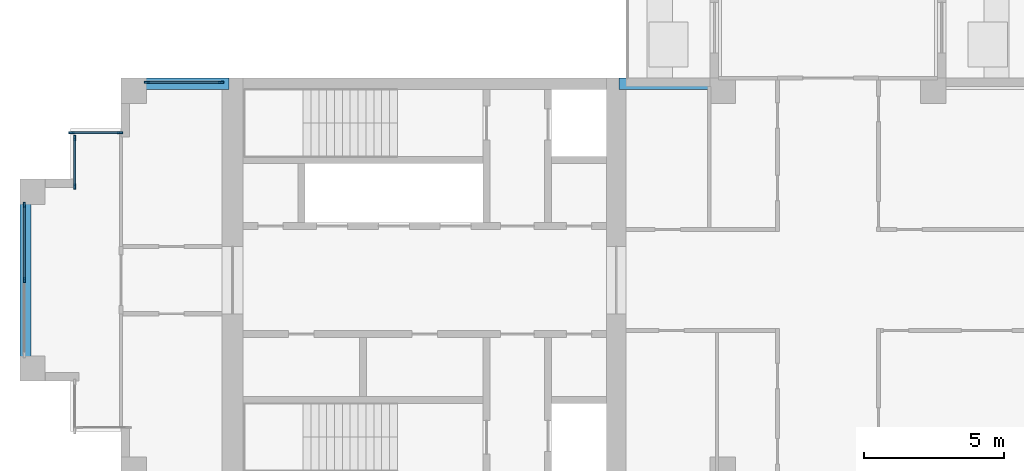
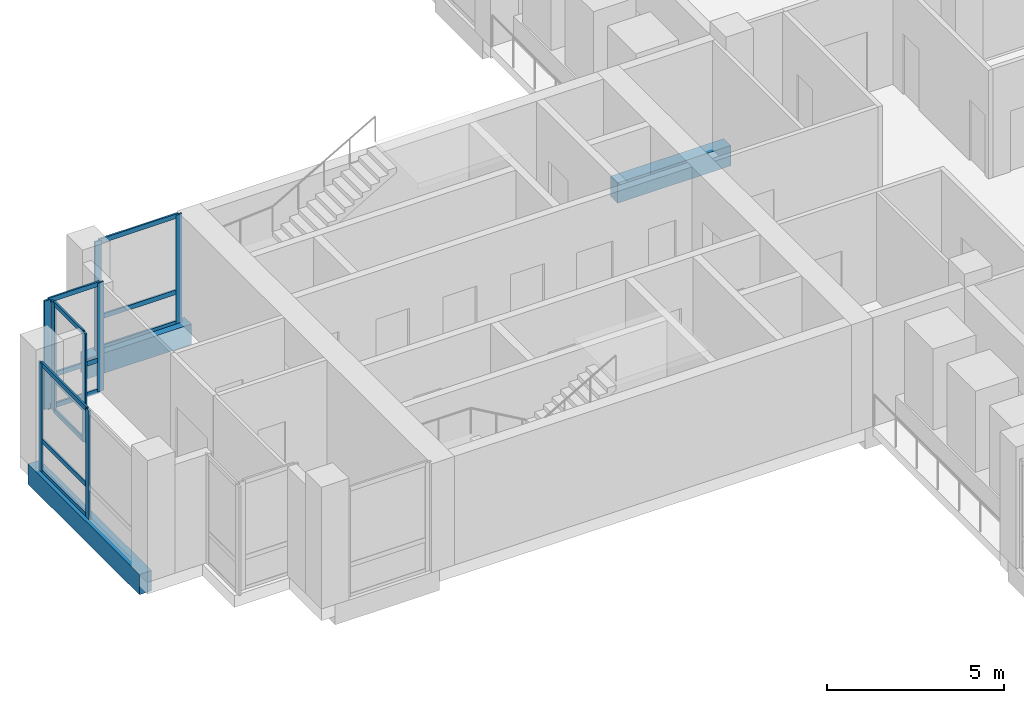
# One storey, part 3 of 13: 20 members, 3 beams, 4 elements without a shape of their own.
"""IFC4 building model written with IfcOpenShell, lengths in metres."""

from ifc_helpers import new_model, si_unit, direction, frame, origin, origin_2d, place, context, subcontext, project, spatial, rectangle, extrude, material, material_profile, profile_set, type_object, element, aggregate, save


model = new_model("IFC4")

# Units and contexts
model_context = context("Model", 3, precision=1e-05, world=origin(), true_north=direction((0.0, 1.0)))
body_context = subcontext(model_context, "Body", "Model", "MODEL_VIEW")
ifc_project = project(units=[si_unit("LENGTHUNIT", "METRE"), si_unit("AREAUNIT", "SQUARE_METRE"), si_unit("VOLUMEUNIT", "CUBIC_METRE"), si_unit("PLANEANGLEUNIT", "RADIAN"), si_unit("MASSUNIT", "GRAM", prefix="KILO")], contexts=[model_context])

# Site, building, storey
site_placement = place(None, origin())
site = spatial("IfcSite", under=ifc_project, at=site_placement, CompositionType="ELEMENT")
building_placement = place(site_placement, origin())
building = spatial("IfcBuilding", under=site, at=building_placement, Name="Fustian Cross Tower", CompositionType="ELEMENT")
storey_placement = place(building_placement, frame((0.0, 0.0, 237.89990234375)))
storey = spatial("IfcBuildingStorey", under=building, at=storey_placement, Name="L75", CompositionType="ELEMENT", Elevation=237.89990234375)

# Curtain wall, members
ifc_material_1 = material(Name="Dark anodised aluminium and double glazing", Category="aluminium")
curtain_wall_type = type_object("IfcCurtainWallType", Name="CW2 SUMMIT LOUNGE CURTAIN WALL", PredefinedType="NOTDEFINED", material=ifc_material_1)
curtain_wall_1_placement = place(storey_placement, origin())
curtain_wall_1 = element("IfcCurtainWall", 1, at=curtain_wall_1_placement, inside=storey, type_object=curtain_wall_type, Name="Curtain wall", PredefinedType="NOTDEFINED")
ifc_material_2 = material(Name="Aluminium alloy 6063", Category="aluminium")
ifc_material_profile_1 = material_profile(ifc_material_2, rectangle(XDim=0.06005859375, YDim=0.199951171875, at=origin_2d()), Name="CW2 MULLION 60X200")
ifc_profile_set_1 = profile_set([ifc_material_profile_1], Name="Aluminium alloy 6063")
member_type_1 = type_object("IfcMemberType", Name="CW2 MULLION 60X200", PredefinedType="MULLION", material=ifc_profile_set_1)
member_1_placement = place(storey_placement, frame((-21.6298828125, 7.050048828125, 0.0), z_axis=(0.0, 0.0, 1.0), x_axis=(0.0, -1.0, 0.0)))
member_1 = element("IfcMember", 2, at=member_1_placement, type_object=member_type_1, Name="CW2 mullion 1", PredefinedType="MULLION", context=body_context, shape_type="SweptSolid", body=[
    extrude(rectangle(XDim=0.06005859375, YDim=0.199951171875, at=origin_2d()), origin(), (0.0, 0.0, 1.0), 3.75),
])
member_2_placement = place(storey_placement, frame((-24.27001953125, 7.050048828125, 0.0), z_axis=(0.0, 0.0, 1.0), x_axis=(0.0, -1.0, 0.0)))
member_2 = element("IfcMember", 3, at=member_2_placement, type_object=member_type_1, Name="CW2 mullion 2", PredefinedType="MULLION", context=body_context, shape_type="SweptSolid", body=[
    extrude(rectangle(XDim=0.06005859375, YDim=0.199951171875, at=origin_2d()), origin(), (0.0, 0.0, 1.0), 3.75),
])

curtain_wall_2_placement = place(storey_placement, origin())
curtain_wall_2 = element("IfcCurtainWall", 4, at=curtain_wall_2_placement, inside=storey, type_object=curtain_wall_type, Name="Curtain wall", PredefinedType="NOTDEFINED")
member_3_placement = place(storey_placement, frame((-25.22998046875, 5.25, 0.0), z_axis=(0.0, 0.0, 1.0), x_axis=(0.0, -1.0, 0.0)))
member_3 = element("IfcMember", 5, at=member_3_placement, type_object=member_type_1, Name="CW2 mullion 1", PredefinedType="MULLION", context=body_context, shape_type="SweptSolid", body=[
    extrude(rectangle(XDim=0.06005859375, YDim=0.199951171875, at=origin_2d()), origin(), (0.0, 0.0, 1.0), 3.75),
])
member_4_placement = place(storey_placement, frame((-26.969970703125, 5.25, 0.0), z_axis=(0.0, 0.0, 1.0), x_axis=(0.0, -1.0, 0.0)))
member_4 = element("IfcMember", 6, at=member_4_placement, type_object=member_type_1, Name="CW2 mullion 2", PredefinedType="MULLION", context=body_context, shape_type="SweptSolid", body=[
    extrude(rectangle(XDim=0.06005859375, YDim=0.199951171875, at=origin_2d()), origin(), (0.0, 0.0, 1.0), 3.75),
])

curtain_wall_3_placement = place(storey_placement, origin())
curtain_wall_3 = element("IfcCurtainWall", 7, at=curtain_wall_3_placement, inside=storey, type_object=curtain_wall_type, Name="Curtain wall", PredefinedType="NOTDEFINED")
member_5_placement = place(storey_placement, frame((-26.85009765625, 5.070068359375, 0.0), z_axis=(0.0, 0.0, 1.0), x_axis=(1.0, 0.0, 0.0)))
member_5 = element("IfcMember", 8, at=member_5_placement, type_object=member_type_1, Name="CW2 mullion 1", PredefinedType="MULLION", context=body_context, shape_type="SweptSolid", body=[
    extrude(rectangle(XDim=0.06005859375, YDim=0.199951171875, at=origin_2d()), origin(), (0.0, 0.0, 1.0), 3.75),
])
member_6_placement = place(storey_placement, frame((-26.85009765625, 3.330078125, 0.0), z_axis=(0.0, 0.0, 1.0), x_axis=(1.0, 0.0, 0.0)))
member_6 = element("IfcMember", 9, at=member_6_placement, type_object=member_type_1, Name="CW2 mullion 2", PredefinedType="MULLION", context=body_context, shape_type="SweptSolid", body=[
    extrude(rectangle(XDim=0.06005859375, YDim=0.199951171875, at=origin_2d()), origin(), (0.0, 0.0, 1.0), 3.75),
])

curtain_wall_4_placement = place(storey_placement, origin())
curtain_wall_4 = element("IfcCurtainWall", 10, at=curtain_wall_4_placement, inside=storey, type_object=curtain_wall_type, Name="Curtain wall", PredefinedType="NOTDEFINED")
member_7_placement = place(storey_placement, frame((-28.64990234375, 2.669921875, 0.0), z_axis=(0.0, 0.0, 1.0), x_axis=(1.0, 0.0, 0.0)))
member_7 = element("IfcMember", 11, at=member_7_placement, type_object=member_type_1, Name="CW2 mullion 1", PredefinedType="MULLION", context=body_context, shape_type="SweptSolid", body=[
    extrude(rectangle(XDim=0.06005859375, YDim=0.199951171875, at=origin_2d()), origin(), (0.0, 0.0, 1.0), 3.75),
])
member_8_placement = place(storey_placement, frame((-28.64990234375, 0.0, 0.0), z_axis=(0.0, 0.0, 1.0), x_axis=(1.0, 0.0, 0.0)))
member_8 = element("IfcMember", 12, at=member_8_placement, type_object=member_type_1, Name="CW2 mullion 2", PredefinedType="MULLION", context=body_context, shape_type="SweptSolid", body=[
    extrude(rectangle(XDim=0.06005859375, YDim=0.199951171875, at=origin_2d()), origin(), (0.0, 0.0, 1.0), 3.75),
])

# Member
ifc_material_3 = material(Name="Aluminium alloy 6063", Category="aluminium")
ifc_material_profile_2 = material_profile(ifc_material_3, rectangle(XDim=0.06005859375, YDim=0.159912109375, at=origin_2d()), Name="CW2 TRANSOM 60X160")
ifc_profile_set_2 = profile_set([ifc_material_profile_2], Name="Aluminium alloy 6063")
member_type_2 = type_object("IfcMemberType", Name="CW2 TRANSOM 60X160", PredefinedType="USERDEFINED", material=ifc_profile_set_2)
member_9_placement = place(storey_placement, frame((-21.659912109375, 7.050048828125, 0.030029296875), z_axis=(-1.0, 0.0, 0.0), x_axis=(0.0, -1.0, 0.0)))
member_9 = element("IfcMember", 13, at=member_9_placement, type_object=member_type_2, Name="CW2 transom 1.1", ObjectType="TRANSOM", PredefinedType="USERDEFINED", context=body_context, shape_type="SweptSolid", body=[
    extrude(rectangle(XDim=0.06005859375, YDim=0.159912109375, at=origin_2d()), origin(), (0.0, 0.0, 1.0), 2.580078125),
])

member_10_placement = place(storey_placement, frame((-21.659912109375, 7.050048828125, 1.10009765625), z_axis=(-1.0, 0.0, 0.0), x_axis=(0.0, -1.0, 0.0)))
member_10 = element("IfcMember", 14, at=member_10_placement, type_object=member_type_2, Name="CW2 transom 1.2", ObjectType="TRANSOM", PredefinedType="USERDEFINED", context=body_context, shape_type="SweptSolid", body=[
    extrude(rectangle(XDim=0.06005859375, YDim=0.159912109375, at=origin_2d()), origin(), (0.0, 0.0, 1.0), 2.580078125),
])

member_11_placement = place(storey_placement, frame((-21.659912109375, 7.050048828125, 3.72021484375), z_axis=(-1.0, 0.0, 0.0), x_axis=(0.0, -1.0, 0.0)))
member_11 = element("IfcMember", 15, at=member_11_placement, type_object=member_type_2, Name="CW2 transom 1.3", ObjectType="TRANSOM", PredefinedType="USERDEFINED", context=body_context, shape_type="SweptSolid", body=[
    extrude(rectangle(XDim=0.06005859375, YDim=0.159912109375, at=origin_2d()), origin(), (0.0, 0.0, 1.0), 2.580078125),
])

aggregate(curtain_wall_1, [member_1, member_2, member_9, member_10, member_11])

member_12_placement = place(storey_placement, frame((-25.260009765625, 5.25, 0.030029296875), z_axis=(-1.0, 0.0, 0.0), x_axis=(0.0, -1.0, 0.0)))
member_12 = element("IfcMember", 16, at=member_12_placement, type_object=member_type_2, Name="CW2 transom 1.1", ObjectType="TRANSOM", PredefinedType="USERDEFINED", context=body_context, shape_type="SweptSolid", body=[
    extrude(rectangle(XDim=0.06005859375, YDim=0.159912109375, at=origin_2d()), origin(), (0.0, 0.0, 1.0), 1.679931640625),
])

member_13_placement = place(storey_placement, frame((-25.260009765625, 5.25, 1.10009765625), z_axis=(-1.0, 0.0, 0.0), x_axis=(0.0, -1.0, 0.0)))
member_13 = element("IfcMember", 17, at=member_13_placement, type_object=member_type_2, Name="CW2 transom 1.2", ObjectType="TRANSOM", PredefinedType="USERDEFINED", context=body_context, shape_type="SweptSolid", body=[
    extrude(rectangle(XDim=0.06005859375, YDim=0.159912109375, at=origin_2d()), origin(), (0.0, 0.0, 1.0), 1.679931640625),
])

member_14_placement = place(storey_placement, frame((-25.260009765625, 5.25, 3.72021484375), z_axis=(-1.0, 0.0, 0.0), x_axis=(0.0, -1.0, 0.0)))
member_14 = element("IfcMember", 18, at=member_14_placement, type_object=member_type_2, Name="CW2 transom 1.3", ObjectType="TRANSOM", PredefinedType="USERDEFINED", context=body_context, shape_type="SweptSolid", body=[
    extrude(rectangle(XDim=0.06005859375, YDim=0.159912109375, at=origin_2d()), origin(), (0.0, 0.0, 1.0), 1.679931640625),
])

aggregate(curtain_wall_2, [member_3, member_4, member_12, member_13, member_14])

member_15_placement = place(storey_placement, frame((-26.85009765625, 5.0400390625, 0.030029296875), z_axis=(0.0, -1.0, 0.0), x_axis=(1.0, 0.0, 0.0)))
member_15 = element("IfcMember", 19, at=member_15_placement, type_object=member_type_2, Name="CW2 transom 1.1", ObjectType="TRANSOM", PredefinedType="USERDEFINED", context=body_context, shape_type="SweptSolid", body=[
    extrude(rectangle(XDim=0.06005859375, YDim=0.159912109375, at=origin_2d()), origin(), (0.0, 0.0, 1.0), 1.679931640625),
])

member_16_placement = place(storey_placement, frame((-26.85009765625, 5.0400390625, 1.10009765625), z_axis=(0.0, -1.0, 0.0), x_axis=(1.0, 0.0, 0.0)))
member_16 = element("IfcMember", 20, at=member_16_placement, type_object=member_type_2, Name="CW2 transom 1.2", ObjectType="TRANSOM", PredefinedType="USERDEFINED", context=body_context, shape_type="SweptSolid", body=[
    extrude(rectangle(XDim=0.06005859375, YDim=0.159912109375, at=origin_2d()), origin(), (0.0, 0.0, 1.0), 1.679931640625),
])

member_17_placement = place(storey_placement, frame((-26.85009765625, 5.0400390625, 3.72021484375), z_axis=(0.0, -1.0, 0.0), x_axis=(1.0, 0.0, 0.0)))
member_17 = element("IfcMember", 21, at=member_17_placement, type_object=member_type_2, Name="CW2 transom 1.3", ObjectType="TRANSOM", PredefinedType="USERDEFINED", context=body_context, shape_type="SweptSolid", body=[
    extrude(rectangle(XDim=0.06005859375, YDim=0.159912109375, at=origin_2d()), origin(), (0.0, 0.0, 1.0), 1.679931640625),
])

aggregate(curtain_wall_3, [member_5, member_6, member_15, member_16, member_17])

member_18_placement = place(storey_placement, frame((-28.64990234375, 2.639892578125, 0.030029296875), z_axis=(0.0, -1.0, 0.0), x_axis=(1.0, 0.0, 0.0)))
member_18 = element("IfcMember", 22, at=member_18_placement, type_object=member_type_2, Name="CW2 transom 1.1", ObjectType="TRANSOM", PredefinedType="USERDEFINED", context=body_context, shape_type="SweptSolid", body=[
    extrude(rectangle(XDim=0.06005859375, YDim=0.159912109375, at=origin_2d()), origin(), (0.0, 0.0, 1.0), 2.60986328125),
])

member_19_placement = place(storey_placement, frame((-28.64990234375, 2.639892578125, 1.10009765625), z_axis=(0.0, -1.0, 0.0), x_axis=(1.0, 0.0, 0.0)))
member_19 = element("IfcMember", 23, at=member_19_placement, type_object=member_type_2, Name="CW2 transom 1.2", ObjectType="TRANSOM", PredefinedType="USERDEFINED", context=body_context, shape_type="SweptSolid", body=[
    extrude(rectangle(XDim=0.06005859375, YDim=0.159912109375, at=origin_2d()), origin(), (0.0, 0.0, 1.0), 2.60986328125),
])

member_20_placement = place(storey_placement, frame((-28.64990234375, 2.639892578125, 3.72021484375), z_axis=(0.0, -1.0, 0.0), x_axis=(1.0, 0.0, 0.0)))
member_20 = element("IfcMember", 24, at=member_20_placement, type_object=member_type_2, Name="CW2 transom 1.3", ObjectType="TRANSOM", PredefinedType="USERDEFINED", context=body_context, shape_type="SweptSolid", body=[
    extrude(rectangle(XDim=0.06005859375, YDim=0.159912109375, at=origin_2d()), origin(), (0.0, 0.0, 1.0), 2.60986328125),
])

aggregate(curtain_wall_4, [member_7, member_8, member_18, member_19, member_20])

# Beams
ifc_material_4 = material(Name="Concrete C50/60", Category="concrete")
ifc_material_profile_3 = material_profile(ifc_material_4, rectangle(XDim=0.39990234375, YDim=0.699951171875, at=origin_2d()), Name="RC 400x700")
ifc_profile_set_3 = profile_set([ifc_material_profile_3], Name="Concrete C50/60")
beam_type = type_object("IfcBeamType", Name="EDGE BEAM RC 400x700 C50/60", PredefinedType="SPANDREL", material=ifc_profile_set_3)
beam_1_placement = place(storey_placement, frame((-3.75, 7.0, -0.349853515625), z_axis=(-1.0, 0.0, 0.0), x_axis=(0.0, -1.0, 0.0)))
element("IfcBeam", 25, at=beam_1_placement, inside=storey, type_object=beam_type, Name="EDGE BEAM L75-12", PredefinedType="SPANDREL", context=body_context, shape_type="SweptSolid", body=[
    extrude(rectangle(XDim=0.39990234375, YDim=0.699951171875, at=origin_2d()), origin(), (0.0, 0.0, 1.0), 3.699951171875),
])
beam_2_placement = place(storey_placement, frame((-21.35009765625, 7.0, -0.349853515625), z_axis=(-1.0, 0.0, 0.0), x_axis=(0.0, -1.0, 0.0)))
element("IfcBeam", 26, at=beam_2_placement, inside=storey, type_object=beam_type, Name="EDGE BEAM L75-13", PredefinedType="SPANDREL", context=body_context, shape_type="SweptSolid", body=[
    extrude(rectangle(XDim=0.39990234375, YDim=0.699951171875, at=origin_2d()), origin(), (0.0, 0.0, 1.0), 3.39990234375),
])
beam_3_placement = place(storey_placement, frame((-28.60009765625, 3.14990234375, -0.349853515625), z_axis=(0.0, -1.0, 0.0), x_axis=(1.0, 0.0, 0.0)))
element("IfcBeam", 27, at=beam_3_placement, inside=storey, type_object=beam_type, Name="EDGE BEAM L75-14", PredefinedType="SPANDREL", context=body_context, shape_type="SweptSolid", body=[
    extrude(rectangle(XDim=0.39990234375, YDim=0.699951171875, at=origin_2d()), origin(), (0.0, 0.0, 1.0), 6.2998046875),
])

save(model, "model.ifc")
